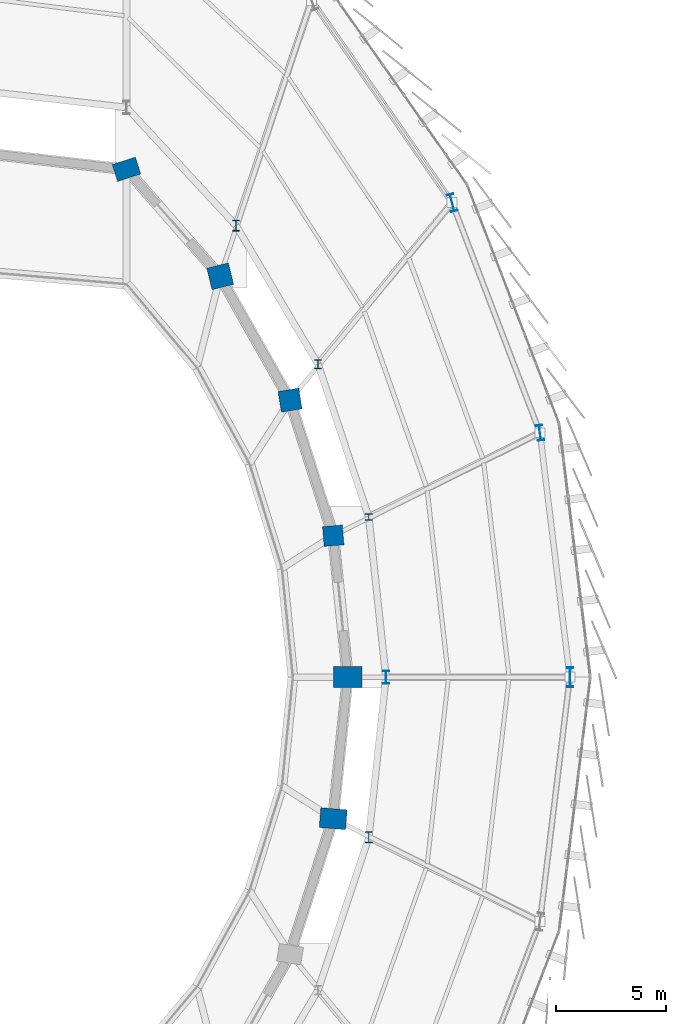
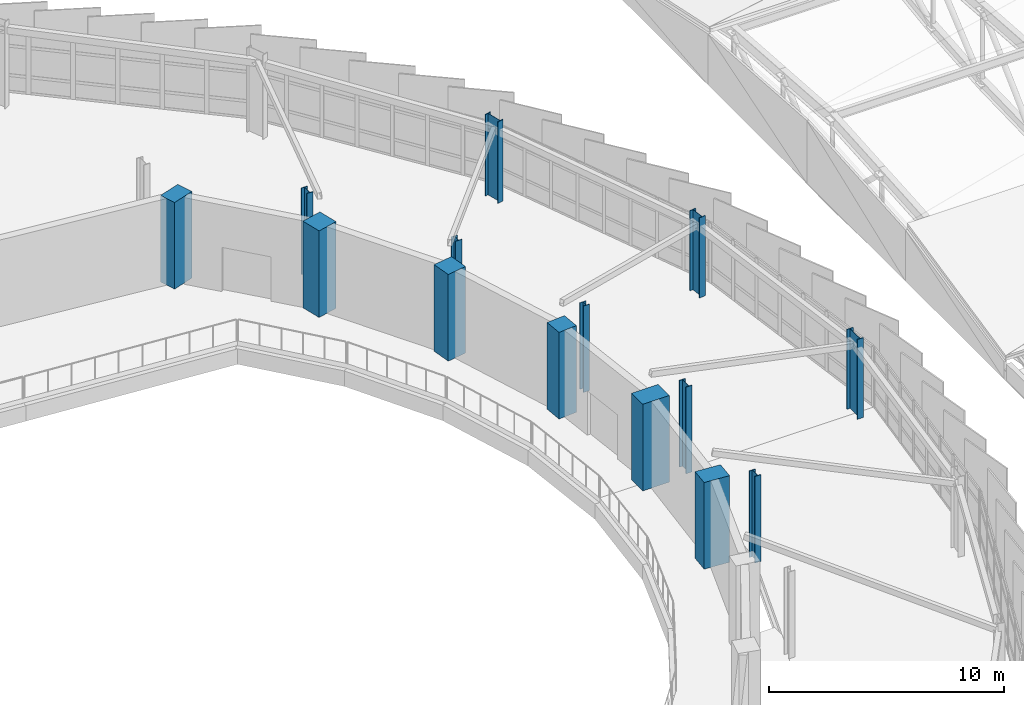
# One storey, part 13 of 87: 14 columns.
"""IFC4 building model written with IfcOpenShell, lengths in metres."""

import ifcopenshell
import ifcopenshell.guid

model = None  # the IFC model being written
_history = None  # IfcOwnerHistory: only IFC2X3 demands one
_inside = {}  # id of a spatial element -> (the spatial element, [elements in it])
_under = {}  # id of a project, library or spatial element -> (it, [spatial elements below it])
_declared = {}  # id of a project -> (the project, [libraries it declares])
_typed = {}  # id of a type object -> (the type object, [elements of that type])
_made_of = {}  # id of a material, layer set ... -> (it, [elements and type objects made of it])


def new_model(schema):
    """Start an empty IFC model of exactly this schema.

    Asked for "IFC4X3", IfcOpenShell would pick the latest addendum, in which some entities
    have other attributes; the version numbers below select the first issue.
    IFC2X3 requires an IfcOwnerHistory on every rooted entity: one is made here for all.
    """
    global model, _history
    if schema == "IFC4X3":
        model = ifcopenshell.file(schema_version=(4, 3, 0, 0))
    else:
        model = ifcopenshell.file(schema=schema)
    _inside.clear()
    _under.clear()
    _declared.clear()
    _typed.clear()
    _made_of.clear()
    _history = None
    if model.schema == "IFC2X3":
        org = make("IfcOrganization", Name="unknown")
        user = make(
            "IfcPersonAndOrganization",
            ThePerson=make("IfcPerson", FamilyName="unknown"),
            TheOrganization=org,
        )
        app = make(
            "IfcApplication",
            ApplicationDeveloper=org,
            Version="unknown",
            ApplicationFullName="unknown",
            ApplicationIdentifier="unknown",
        )
        _history = make(
            "IfcOwnerHistory",
            OwningUser=user,
            OwningApplication=app,
            ChangeAction="ADDED",
            CreationDate=0,
        )
    return model


def make(cls, **values):
    """One entity of the class cls with the attributes given. An attribute that is None is left unset."""
    return model.create_entity(
        cls, **{name: value for name, value in values.items() if value is not None}
    )


def rooted(cls, **values):
    """An entity with a GlobalId (a new one), such as an element, a storey or a relation."""
    return make(cls, GlobalId=ifcopenshell.guid.new(), OwnerHistory=_history, **values)


def si_unit(unit_type, name, prefix=None):
    """IfcSIUnit, for example si_unit("LENGTHUNIT", "METRE", prefix="MILLI")."""
    return make("IfcSIUnit", UnitType=unit_type, Prefix=prefix, Name=name)


def assignment(units):
    """IfcUnitAssignment: the units of a project."""
    return None if units is None else make("IfcUnitAssignment", Units=units)


def point(xyz):
    """IfcCartesianPoint."""
    return None if xyz is None else make("IfcCartesianPoint", Coordinates=xyz)


def direction(xyz):
    """IfcDirection."""
    return None if xyz is None else make("IfcDirection", DirectionRatios=xyz)


def frame(location, z_axis=None, x_axis=None):
    """IfcAxis2Placement3D, a coordinate frame: its origin and axes. An axis left out is left unset."""
    return make(
        "IfcAxis2Placement3D",
        Location=point(location),
        Axis=direction(z_axis),
        RefDirection=direction(x_axis),
    )


def frame_2d(location, x_axis=None):
    """IfcAxis2Placement2D, a coordinate frame in the plane: its origin and x axis."""
    return make(
        "IfcAxis2Placement2D", Location=point(location), RefDirection=direction(x_axis)
    )


def origin():
    """The frame at (0, 0, 0) with its axes left unset."""
    return frame((0.0, 0.0, 0.0))


def origin_2d():
    """The frame at (0, 0) in the plane with its x axis left unset."""
    return frame_2d((0.0, 0.0))


def place(relative_to, where):
    """IfcLocalPlacement: puts the frame where relative to a parent placement (None: the world)."""
    return make(
        "IfcLocalPlacement", PlacementRelTo=relative_to, RelativePlacement=where
    )


def context(
    kind, dimensions, precision=None, world=None, true_north=None, identifier=None
):
    """IfcGeometricRepresentationContext, for example the 3D "Model" context."""
    return make(
        "IfcGeometricRepresentationContext",
        ContextIdentifier=identifier,
        ContextType=kind,
        CoordinateSpaceDimension=dimensions,
        Precision=precision,
        WorldCoordinateSystem=world,
        TrueNorth=true_north,
    )


def subcontext(parent, identifier, kind, view, scale=None):
    """IfcGeometricRepresentationSubContext, for example "Body" below "Model"."""
    return make(
        "IfcGeometricRepresentationSubContext",
        ContextIdentifier=identifier,
        ContextType=kind,
        ParentContext=parent,
        TargetScale=scale,
        TargetView=view,
    )


def project(units=None, contexts=None):
    """IfcProject with its units and contexts."""
    return rooted(
        "IfcProject",
        Name="project",
        RepresentationContexts=contexts,
        UnitsInContext=assignment(units),
    )


def spatial(cls, under=None, at=None, **own):
    """A site, building, storey or space (cls), placed at a placement, below another one or the project."""
    s = rooted(cls, ObjectPlacement=at, **own)
    if under is not None:
        _under.setdefault(under.id(), (under, []))[1].append(s)
    return s


def profile(cls, at=None, kind="AREA", **sizes):
    """A parametric profile (cls). Its sizes go by their IFC names, for example OverallWidth=200.0."""
    return make(cls, ProfileType=kind, Position=at, **sizes)


def rectangle(**sizes):
    """IfcRectangleProfileDef."""
    return profile("IfcRectangleProfileDef", **sizes)


def i_section(**sizes):
    """IfcIShapeProfileDef."""
    return profile("IfcIShapeProfileDef", **sizes)


def extrude(swept, where, along, depth):
    """IfcExtrudedAreaSolid: the profile swept, set in the frame where, extruded along a direction by depth."""
    return make(
        "IfcExtrudedAreaSolid",
        SweptArea=swept,
        Position=where,
        ExtrudedDirection=direction(along),
        Depth=depth,
    )


def shape(context_of_items, identifier, shape_type, items):
    """IfcShapeRepresentation: the items that make up one representation, for example the "Body"."""
    return make(
        "IfcShapeRepresentation",
        ContextOfItems=context_of_items,
        RepresentationIdentifier=identifier,
        RepresentationType=shape_type,
        Items=items,
    )


def material(Name=None, Category=None):
    """IfcMaterial."""
    return make("IfcMaterial", Name=Name, Category=Category)


def material_profile(
    of_material, cross_section, Name=None, Category=None, Priority=None
):
    """IfcMaterialProfile: a cross section and its material."""
    return make(
        "IfcMaterialProfile",
        Name=Name,
        Material=of_material,
        Profile=cross_section,
        Priority=Priority,
        Category=Category,
    )


def profile_set(profiles, Name=None, composite=None):
    """IfcMaterialProfileSet."""
    return make(
        "IfcMaterialProfileSet",
        Name=Name,
        MaterialProfiles=profiles,
        CompositeProfile=composite,
    )


def made_of(thing, what):
    """Note that an element or type object is made of a material, layer set ...; save() writes the relation."""
    if what is not None:
        _made_of.setdefault(what.id(), (what, []))[1].append(thing)
    return thing


def type_object(cls, material=None, **own):
    """A type object (cls), such as IfcWallType, which elements share."""
    return made_of(rooted(cls, **own), material)


def element(
    cls,
    number,
    at=None,
    inside=None,
    cuts=None,
    type_object=None,
    material=None,
    context=None,
    identifier="Body",
    shape_type=None,
    held_by="IfcProductDefinitionShape",
    body=None,
    shapes=None,
    **own,
):
    """One element of the class cls, such as IfcWall. Its Tag is "e" and its number.

    at: its placement. inside: the storey or other place that contains it. cuts: it is an
    opening in that element (IfcRelVoidsElement). A single representation is given by context,
    identifier, shape_type and body (its items); several are given by shapes. held_by: the class
    of the entity that holds the representations. save() writes the other relations.
    """
    e = rooted(cls, Tag="e%d" % number, ObjectPlacement=at, **own)
    if body is not None:
        shapes = [shape(context, identifier, shape_type, body)]
    if shapes is not None:
        e.Representation = make(held_by, Representations=shapes)
    if inside is not None:
        _inside.setdefault(inside.id(), (inside, []))[1].append(e)
    if cuts is not None:
        rooted(
            "IfcRelVoidsElement", RelatingBuildingElement=cuts, RelatedOpeningElement=e
        )
    if type_object is not None:
        _typed.setdefault(type_object.id(), (type_object, []))[1].append(e)
    return made_of(e, material)


def aggregate(whole, parts):
    """IfcRelAggregates: a whole, such as a stair, and the parts it consists of."""
    return rooted("IfcRelAggregates", RelatingObject=whole, RelatedObjects=parts)


def save(model, path):
    """Write the relations noted so far, then the file.

    IfcRelAggregates (storeys below a building ...), IfcRelContainedInSpatialStructure (elements
    in a storey), IfcRelDefinesByType, IfcRelAssociatesMaterial and IfcRelDeclares: one each for
    every whole, place, type object, material and project.
    """
    for whole, parts in _under.values():
        aggregate(whole, parts)
    for where, things in _inside.values():
        rooted(
            "IfcRelContainedInSpatialStructure",
            RelatedElements=things,
            RelatingStructure=where,
        )
    for kind, things in _typed.values():
        rooted("IfcRelDefinesByType", RelatedObjects=things, RelatingType=kind)
    for what, things in _made_of.values():
        rooted("IfcRelAssociatesMaterial", RelatedObjects=things, RelatingMaterial=what)
    for by, libraries in _declared.values():
        rooted("IfcRelDeclares", RelatingContext=by, RelatedDefinitions=libraries)
    model.write(path)


model = new_model("IFC4")

# Units and contexts
model_context = context("Model", 3, precision=1e-05, world=origin(), true_north=direction((0.0, 1.0)))
body_context = subcontext(model_context, "Body", "Model", "MODEL_VIEW")
ifc_project = project(units=[si_unit("LENGTHUNIT", "METRE"), si_unit("AREAUNIT", "SQUARE_METRE"), si_unit("VOLUMEUNIT", "CUBIC_METRE"), si_unit("PLANEANGLEUNIT", "RADIAN"), si_unit("MASSUNIT", "GRAM", prefix="KILO")], contexts=[model_context])

# Site, building, storey
site_placement = place(None, origin())
site = spatial("IfcSite", under=ifc_project, at=site_placement, CompositionType="ELEMENT")
building_placement = place(site_placement, origin())
building = spatial("IfcBuilding", under=site, at=building_placement, Name="Sohan Crest Arena", CompositionType="ELEMENT")
storey_placement = place(building_placement, frame((0.0, 0.0, 18.0)))
storey = spatial("IfcBuildingStorey", under=building, at=storey_placement, Name="L04", CompositionType="ELEMENT", Elevation=18.0)

# Columns
ifc_material_1 = material(Name="Concrete C40/50", Category="concrete")
ifc_material_profile_1 = material_profile(ifc_material_1, rectangle(XDim=0.89990234375, YDim=0.89990234375, at=origin_2d()), Name="RC 900x900")
ifc_profile_set_1 = profile_set([ifc_material_profile_1], Name="Concrete C40/50")
column_type_1 = type_object("IfcColumnType", Name="STR-COL-C07", PredefinedType="COLUMN", material=ifc_profile_set_1)
column_1_placement = place(storey_placement, frame((177.363037109375, 84.406982421875, 0.0), z_axis=(0.0, 0.0, 1.0), x_axis=(0.996778878456, 0.080198924329, 0.0)))
element("IfcColumn", 1, at=column_1_placement, inside=storey, type_object=column_type_1, Name="Structural column COL-V1R-25-L04", PredefinedType="COLUMN", context=body_context, shape_type="SweptSolid", body=[
    extrude(rectangle(XDim=0.89990234375, YDim=0.89990234375, at=origin_2d()), origin(), (0.0, 0.0, 1.0), 4.5),
])
ifc_material_profile_2 = material_profile(ifc_material_1, rectangle(XDim=0.949951171875, YDim=0.949951171875, at=origin_2d()), Name="RC 950x950")
ifc_profile_set_2 = profile_set([ifc_material_profile_2], Name="Concrete C40/50")
column_type_2 = type_object("IfcColumnType", Name="STR-COL-C08", PredefinedType="COLUMN", material=ifc_profile_set_2)
column_2_placement = place(storey_placement, frame((175.408935546875, 90.544921875, 0.0), z_axis=(0.0, 0.0, 1.0), x_axis=(0.987136265073, 0.159881187692, 0.0)))
element("IfcColumn", 2, at=column_2_placement, inside=storey, type_object=column_type_2, Name="Structural column COL-V1R-26-L04", PredefinedType="COLUMN", context=body_context, shape_type="SweptSolid", body=[
    extrude(rectangle(XDim=0.949951171875, YDim=0.949951171875, at=origin_2d()), origin(), (0.0, 0.0, 1.0), 4.5),
])
ifc_material_profile_3 = material_profile(ifc_material_1, rectangle(XDim=1.0, YDim=1.0, at=origin_2d()), Name="RC 1000x1000")
ifc_profile_set_3 = profile_set([ifc_material_profile_3], Name="Concrete C40/50")
column_type_3 = type_object("IfcColumnType", Name="STR-COL-C09", PredefinedType="COLUMN", material=ifc_profile_set_3)
column_3_placement = place(storey_placement, frame((172.242919921875, 96.154052734375, 0.0), z_axis=(0.0, 0.0, 1.0), x_axis=(0.971549119998, 0.236838146066, 0.0)))
element("IfcColumn", 3, at=column_3_placement, inside=storey, type_object=column_type_3, Name="Structural column COL-V1R-27-L04", PredefinedType="COLUMN", context=body_context, shape_type="SweptSolid", body=[
    extrude(rectangle(XDim=1.0, YDim=1.0, at=origin_2d()), origin(), (0.0, 0.0, 1.0), 4.5),
])
ifc_material_profile_4 = material_profile(ifc_material_1, rectangle(XDim=1.10009765625, YDim=0.800048828125, at=origin_2d()), Name="RC 1100x800")
ifc_profile_set_4 = profile_set([ifc_material_profile_4], Name="Concrete C40/50")
column_type_4 = type_object("IfcColumnType", Name="STR-COL-C10", PredefinedType="COLUMN", material=ifc_profile_set_4)
column_4_placement = place(storey_placement, frame((168.0, 101.0, 0.0), z_axis=(0.0, 0.0, 1.0), x_axis=(0.949972051525, 0.312334918512, 0.0)))
element("IfcColumn", 4, at=column_4_placement, inside=storey, type_object=column_type_4, Name="Structural column COL-V1R-28-L04", PredefinedType="COLUMN", context=body_context, shape_type="SweptSolid", body=[
    extrude(rectangle(XDim=1.10009765625, YDim=0.800048828125, at=origin_2d()), origin(), (0.0, 0.0, 1.0), 4.5),
])
ifc_material_profile_5 = material_profile(ifc_material_1, rectangle(XDim=1.199951171875, YDim=0.89990234375, at=origin_2d()), Name="RC 1200x900")
ifc_profile_set_5 = profile_set([ifc_material_profile_5], Name="Concrete C40/50")
column_type_5 = type_object("IfcColumnType", Name="STR-COL-C11", PredefinedType="COLUMN", material=ifc_profile_set_5)
column_5_placement = place(storey_placement, frame((177.363037109375, 71.593017578125, 0.0), z_axis=(0.0, 0.0, 1.0), x_axis=(-0.996778878456, 0.080198924329, 0.0)))
element("IfcColumn", 5, at=column_5_placement, inside=storey, type_object=column_type_5, Name="Structural column COL-V1R-23-L04", PredefinedType="COLUMN", context=body_context, shape_type="SweptSolid", body=[
    extrude(rectangle(XDim=1.199951171875, YDim=0.89990234375, at=origin_2d()), origin(), (0.0, 0.0, 1.0), 4.5),
])
ifc_material_profile_6 = material_profile(ifc_material_1, rectangle(XDim=1.300048828125, YDim=0.949951171875, at=origin_2d()), Name="RC 1300x950")
ifc_profile_set_6 = profile_set([ifc_material_profile_6], Name="Concrete C40/50")
column_type_6 = type_object("IfcColumnType", Name="STR-COL-C12", PredefinedType="COLUMN", material=ifc_profile_set_6)
column_6_placement = place(storey_placement, frame((178.02294921875, 78.0, 0.0), z_axis=(0.0, 0.0, 1.0), x_axis=(1.0, 0.0, 0.0)))
element("IfcColumn", 6, at=column_6_placement, inside=storey, type_object=column_type_6, Name="Structural column COL-V1R-24-L04", PredefinedType="COLUMN", context=body_context, shape_type="SweptSolid", body=[
    extrude(rectangle(XDim=1.300048828125, YDim=0.949951171875, at=origin_2d()), origin(), (0.0, 0.0, 1.0), 4.5),
])
ifc_material_2 = material(Name="Steel S355", Category="steel")
ifc_material_profile_7 = material_profile(ifc_material_2, i_section(OverallWidth=0.300048828125, OverallDepth=0.300048828125, WebThickness=0.010986328125, FlangeThickness=0.01904296875, at=origin_2d()), Name="HEB 300")
ifc_profile_set_7 = profile_set([ifc_material_profile_7], Name="Steel S355")
column_type_7 = type_object("IfcColumnType", Name="STR-COL-C17", PredefinedType="COLUMN", material=ifc_profile_set_7)
column_7_placement = place(storey_placement, frame((178.971923828125, 85.251953125, 0.0), z_axis=(0.0, 0.0, 1.0), x_axis=(1.0, 0.0, 0.0)))
element("IfcColumn", 7, at=column_7_placement, inside=storey, type_object=column_type_7, Name="Structural column COL-V2I-25-L04", PredefinedType="COLUMN", context=body_context, shape_type="SweptSolid", body=[
    extrude(i_section(OverallWidth=0.300048828125, OverallDepth=0.300048828125, WebThickness=0.010986328125, FlangeThickness=0.01904296875, at=origin_2d()), origin(), (0.0, 0.0, 1.0), 4.5),
])
ifc_material_profile_8 = material_profile(ifc_material_2, i_section(OverallWidth=0.300048828125, OverallDepth=0.39990234375, WebThickness=0.013427734375, FlangeThickness=0.02392578125, at=origin_2d()), Name="HEB 400")
ifc_profile_set_8 = profile_set([ifc_material_profile_8], Name="Steel S355")
column_type_8 = type_object("IfcColumnType", Name="STR-COL-C18", PredefinedType="COLUMN", material=ifc_profile_set_8)
column_8_placement = place(storey_placement, frame((176.674072265625, 92.175048828125, 0.0), z_axis=(0.0, 0.0, 1.0), x_axis=(1.0, 0.0, 0.0)))
element("IfcColumn", 8, at=column_8_placement, inside=storey, type_object=column_type_8, Name="Structural column COL-V2I-26-L04", PredefinedType="COLUMN", context=body_context, shape_type="SweptSolid", body=[
    extrude(i_section(OverallWidth=0.300048828125, OverallDepth=0.39990234375, WebThickness=0.013427734375, FlangeThickness=0.02392578125, at=origin_2d()), origin(), (0.0, 0.0, 1.0), 4.5),
])
ifc_material_profile_9 = material_profile(ifc_material_2, i_section(OverallWidth=0.300048828125, OverallDepth=0.5, WebThickness=0.014404296875, FlangeThickness=0.028076171875, at=origin_2d()), Name="HEB 500")
ifc_profile_set_9 = profile_set([ifc_material_profile_9], Name="Steel S355")
column_type_9 = type_object("IfcColumnType", Name="STR-COL-C19", PredefinedType="COLUMN", material=ifc_profile_set_9)
for number, where, z_axis, x_axis, name in (
    (9, (178.971923828125, 70.748046875, 0.0), (0.0, 0.0, 1.0), (1.0, 0.0, 0.0), "Structural column COL-V2I-23-L04"),
    (10, (172.9609375, 98.452880859375, 0.0), (0.0, 0.0, 1.0), (1.0, 0.0, 0.0), "Structural column COL-V2I-27-L04"),
):
    element("IfcColumn", number, at=place(storey_placement, frame(where, z_axis=z_axis, x_axis=x_axis)), inside=storey, type_object=column_type_9, Name=name, PredefinedType="COLUMN", context=body_context, shape_type="SweptSolid", body=[
        extrude(i_section(OverallWidth=0.300048828125, OverallDepth=0.5, WebThickness=0.014404296875, FlangeThickness=0.028076171875, at=origin_2d()), origin(), (0.0, 0.0, 1.0), 4.5),
    ])
ifc_material_profile_10 = material_profile(ifc_material_2, i_section(OverallWidth=0.300048828125, OverallDepth=0.60009765625, WebThickness=0.015380859375, FlangeThickness=0.030029296875, at=origin_2d()), Name="HEB 600")
ifc_profile_set_10 = profile_set([ifc_material_profile_10], Name="Steel S355")
column_type_10 = type_object("IfcColumnType", Name="STR-COL-C20", PredefinedType="COLUMN", material=ifc_profile_set_10)
column_9_placement = place(storey_placement, frame((179.75, 78.0, 0.0), z_axis=(0.0, 0.0, 1.0), x_axis=(1.0, 0.0, 0.0)))
element("IfcColumn", 11, at=column_9_placement, inside=storey, type_object=column_type_10, Name="Structural column COL-V2I-24-L04", PredefinedType="COLUMN", context=body_context, shape_type="SweptSolid", body=[
    extrude(i_section(OverallWidth=0.300048828125, OverallDepth=0.60009765625, WebThickness=0.015380859375, FlangeThickness=0.030029296875, at=origin_2d()), origin(), (0.0, 0.0, 1.0), 4.5),
])
ifc_material_profile_11 = material_profile(ifc_material_2, i_section(OverallWidth=0.300048828125, OverallDepth=0.699951171875, WebThickness=0.01708984375, FlangeThickness=0.031982421875, at=origin_2d()), Name="HEB 700")
ifc_profile_set_11 = profile_set([ifc_material_profile_11], Name="Steel S355")
column_type_11 = type_object("IfcColumnType", Name="STR-COL-C21", PredefinedType="COLUMN", material=ifc_profile_set_11)
column_10_placement = place(storey_placement, frame((186.72509765625, 89.070068359375, 0.0), z_axis=(0.0, 0.0, 1.0), x_axis=(0.992331937885, 0.12360147674, 0.0)))
element("IfcColumn", 12, at=column_10_placement, inside=storey, type_object=column_type_11, Name="Structural column COL-V2O-25-L04", PredefinedType="COLUMN", context=body_context, shape_type="SweptSolid", body=[
    extrude(i_section(OverallWidth=0.300048828125, OverallDepth=0.699951171875, WebThickness=0.01708984375, FlangeThickness=0.031982421875, at=origin_2d()), origin(), (0.0, 0.0, 1.0), 4.1640625),
])
ifc_material_profile_12 = material_profile(ifc_material_2, i_section(OverallWidth=0.300048828125, OverallDepth=0.800048828125, WebThickness=0.017578125, FlangeThickness=0.032958984375, at=origin_2d()), Name="HEB 800")
ifc_profile_set_12 = profile_set([ifc_material_profile_12], Name="Steel S355")
column_type_12 = type_object("IfcColumnType", Name="STR-COL-C22", PredefinedType="COLUMN", material=ifc_profile_set_12)
column_11_placement = place(storey_placement, frame((182.7490234375, 99.489013671875, 0.0), z_axis=(0.0, 0.0, 1.0), x_axis=(0.969445349895, 0.245307385879, 0.0)))
element("IfcColumn", 13, at=column_11_placement, inside=storey, type_object=column_type_12, Name="Structural column COL-V2O-26-L04", PredefinedType="COLUMN", context=body_context, shape_type="SweptSolid", body=[
    extrude(i_section(OverallWidth=0.300048828125, OverallDepth=0.800048828125, WebThickness=0.017578125, FlangeThickness=0.032958984375, at=origin_2d()), origin(), (0.0, 0.0, 1.0), 4.23291015625),
])
ifc_material_profile_13 = material_profile(ifc_material_2, i_section(OverallWidth=0.300048828125, OverallDepth=0.89990234375, WebThickness=0.0185546875, FlangeThickness=0.034912109375, at=origin_2d()), Name="HEB 900")
ifc_profile_set_13 = profile_set([ifc_material_profile_13], Name="Steel S355")
column_type_13 = type_object("IfcColumnType", Name="STR-COL-C23", PredefinedType="COLUMN", material=ifc_profile_set_13)
column_12_placement = place(storey_placement, frame((188.076904296875, 78.0, 0.0), z_axis=(0.0, 0.0, 1.0), x_axis=(1.0, 0.0, 0.0)))
element("IfcColumn", 14, at=column_12_placement, inside=storey, type_object=column_type_13, Name="Structural column COL-V2O-24-L04", PredefinedType="COLUMN", context=body_context, shape_type="SweptSolid", body=[
    extrude(i_section(OverallWidth=0.300048828125, OverallDepth=0.89990234375, WebThickness=0.0185546875, FlangeThickness=0.034912109375, at=origin_2d()), origin(), (0.0, 0.0, 1.0), 4.14990234375),
])

save(model, "model.ifc")
